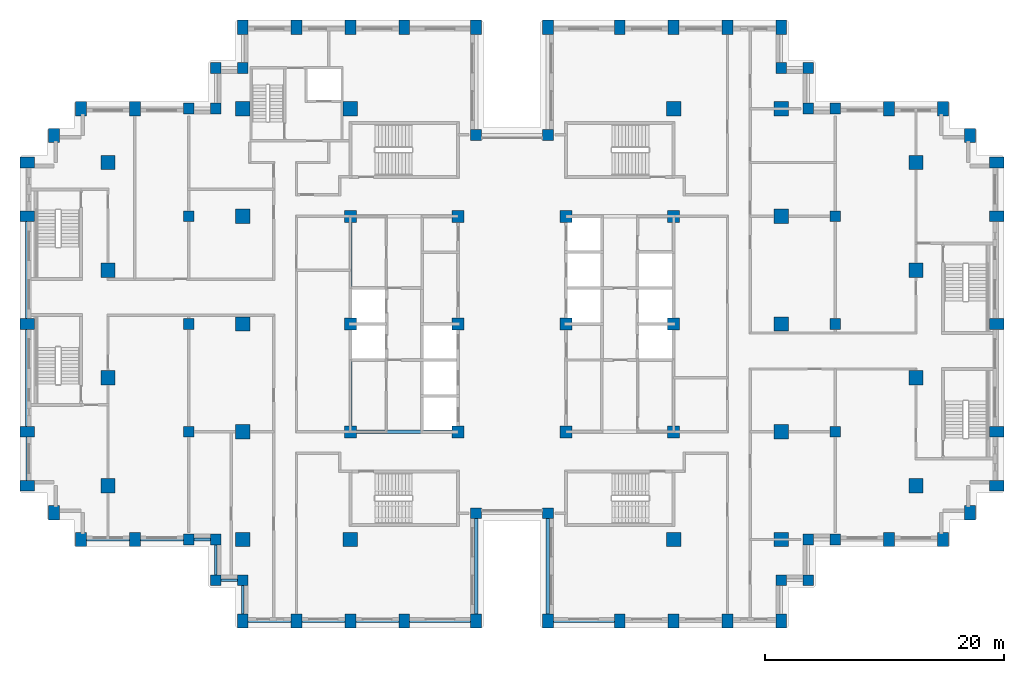
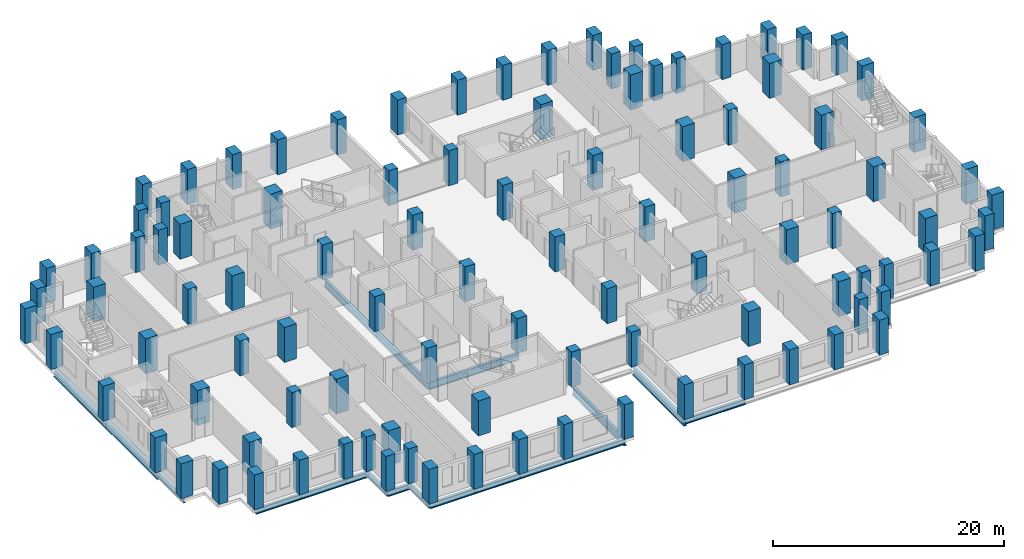
# One storey, part 1 of 15: 102 columns, 19 beams.
"""IFC4 building model written with IfcOpenShell, lengths in metres."""

from ifc_helpers import new_model, si_unit, direction, frame, origin, origin_2d, place, context, subcontext, project, spatial, rectangle, i_section, extrude, material, material_profile, profile_set, type_object, element, save


model = new_model("IFC4")

# Units and contexts
model_context = context("Model", 3, precision=1e-05, world=origin(), true_north=direction((0.0, 1.0)))
body_context = subcontext(model_context, "Body", "Model", "MODEL_VIEW")
ifc_project = project(units=[si_unit("LENGTHUNIT", "METRE"), si_unit("AREAUNIT", "SQUARE_METRE"), si_unit("VOLUMEUNIT", "CUBIC_METRE"), si_unit("PLANEANGLEUNIT", "RADIAN"), si_unit("MASSUNIT", "GRAM", prefix="KILO")], contexts=[model_context])

# Site, building, storey
site_placement = place(None, origin())
site = spatial("IfcSite", under=ifc_project, at=site_placement, CompositionType="ELEMENT")
building_placement = place(site_placement, origin())
building = spatial("IfcBuilding", under=site, at=building_placement, Name="Corbelhall Arena Tower", CompositionType="ELEMENT")
storey_placement = place(building_placement, frame((0.0, 0.0, 96.0)))
storey = spatial("IfcBuildingStorey", under=building, at=storey_placement, Name="L16", CompositionType="ELEMENT", Elevation=96.0)

# Columns
ifc_material_1 = material(Name="Concrete C80/95", Category="concrete")
ifc_material_profile_1 = material_profile(ifc_material_1, rectangle(XDim=1.0, YDim=1.0, at=origin_2d()))
ifc_profile_set_1 = profile_set([ifc_material_profile_1], Name="Concrete C80/95")
column_type_1 = type_object("IfcColumnType", Name="ST-COL-RC 1000x1000", PredefinedType="COLUMN", material=ifc_profile_set_1)
for number, where, z_axis, x_axis, name in (
    (1, (4.5, 0.0, 0.0), (0.0, 0.0, 1.0), (1.0, 0.0, 0.0), "Column KE+0450+0000"),
    (2, (4.5, 9.0, 0.0), (0.0, 0.0, 1.0), (1.0, 0.0, 0.0), "Column KE+0450+0900"),
    (3, (4.5, -9.0, 0.0), (0.0, 0.0, 1.0), (1.0, 0.0, 0.0), "Column KE+0450-0900"),
    (4, (13.5, 0.0, 0.0), (0.0, 0.0, 1.0), (1.0, 0.0, 0.0), "Column KE+1350+0000"),
    (5, (13.5, 9.0, 0.0), (0.0, 0.0, 1.0), (1.0, 0.0, 0.0), "Column KE+1350+0900"),
    (6, (13.5, -9.0, 0.0), (0.0, 0.0, 1.0), (1.0, 0.0, 0.0), "Column KE+1350-0900"),
    (7, (-4.5, 0.0, 0.0), (0.0, 0.0, 1.0), (1.0, 0.0, 0.0), "Column KW-0450+0000"),
    (8, (-4.5, 9.0, 0.0), (0.0, 0.0, 1.0), (1.0, 0.0, 0.0), "Column KW-0450+0900"),
    (9, (-4.5, -9.0, 0.0), (0.0, 0.0, 1.0), (1.0, 0.0, 0.0), "Column KW-0450-0900"),
    (10, (-13.5, 0.0, 0.0), (0.0, 0.0, 1.0), (1.0, 0.0, 0.0), "Column KW-1350+0000"),
    (11, (-13.5, 9.0, 0.0), (0.0, 0.0, 1.0), (1.0, 0.0, 0.0), "Column KW-1350+0900"),
    (12, (-13.5, -9.0, 0.0), (0.0, 0.0, 1.0), (1.0, 0.0, 0.0), "Column KW-1350-0900"),
):
    element("IfcColumn", number, at=place(storey_placement, frame(where, z_axis=z_axis, x_axis=x_axis)), inside=storey, type_object=column_type_1, Name=name, PredefinedType="COLUMN", context=body_context, shape_type="SweptSolid", body=[
        extrude(rectangle(XDim=1.0, YDim=1.0, at=origin_2d()), origin(), (0.0, 0.0, 1.0), 3.699951171875),
    ])
ifc_material_profile_2 = material_profile(ifc_material_1, rectangle(XDim=1.199951171875, YDim=1.199951171875, at=origin_2d()))
ifc_profile_set_2 = profile_set([ifc_material_profile_2], Name="Concrete C80/95")
column_type_2 = type_object("IfcColumnType", Name="ST-COL-RC 1200x1200", PredefinedType="COLUMN", material=ifc_profile_set_2)
for number, where, z_axis, x_axis, name in (
    (13, (-33.75, 4.5, 0.0), (0.0, 0.0, 1.0), (1.0, 0.0, 0.0), "Column FIC+0450"),
    (14, (-33.75, 13.5, 0.0), (0.0, 0.0, 1.0), (1.0, 0.0, 0.0), "Column FIC+1350"),
    (15, (-33.75, -4.5, 0.0), (0.0, 0.0, 1.0), (1.0, 0.0, 0.0), "Column FIC-0450"),
    (16, (-33.75, -13.5, 0.0), (0.0, 0.0, 1.0), (1.0, 0.0, 0.0), "Column FIC-1350"),
    (17, (33.75, 4.5, 0.0), (0.0, 0.0, 1.0), (1.0, 0.0, 0.0), "Column FID+0450"),
    (18, (33.75, 13.5, 0.0), (0.0, 0.0, 1.0), (1.0, 0.0, 0.0), "Column FID+1350"),
    (19, (33.75, -4.5, 0.0), (0.0, 0.0, 1.0), (1.0, 0.0, 0.0), "Column FID-0450"),
    (20, (33.75, -13.5, 0.0), (0.0, 0.0, 1.0), (1.0, 0.0, 0.0), "Column FID-1350"),
    (21, (13.5, 18.0, 0.0), (0.0, 0.0, 1.0), (1.0, 0.0, 0.0), "Column IE13+1800"),
    (22, (13.5, -18.0, 0.0), (0.0, 0.0, 1.0), (1.0, 0.0, 0.0), "Column IE13-1800"),
    (23, (22.5, 0.0, 0.0), (0.0, 0.0, 1.0), (1.0, 0.0, 0.0), "Column IE22+0000"),
    (24, (22.5, 9.0, 0.0), (0.0, 0.0, 1.0), (1.0, 0.0, 0.0), "Column IE22+0900"),
    (25, (22.5, 18.0, 0.0), (0.0, 0.0, 1.0), (1.0, 0.0, 0.0), "Column IE22+1800"),
    (26, (22.5, -9.0, 0.0), (0.0, 0.0, 1.0), (1.0, 0.0, 0.0), "Column IE22-0900"),
    (27, (22.5, -18.0, 0.0), (0.0, 0.0, 1.0), (1.0, 0.0, 0.0), "Column IE22-1800"),
    (28, (-13.5, 18.0, 0.0), (0.0, 0.0, 1.0), (1.0, 0.0, 0.0), "Column IW13+1800"),
    (29, (-13.5, -18.0, 0.0), (0.0, 0.0, 1.0), (1.0, 0.0, 0.0), "Column IW13-1800"),
    (30, (-22.5, 0.0, 0.0), (0.0, 0.0, 1.0), (1.0, 0.0, 0.0), "Column IW22+0000"),
    (31, (-22.5, 9.0, 0.0), (0.0, 0.0, 1.0), (1.0, 0.0, 0.0), "Column IW22+0900"),
    (32, (-22.5, 18.0, 0.0), (0.0, 0.0, 1.0), (1.0, 0.0, 0.0), "Column IW22+1800"),
    (33, (-22.5, -9.0, 0.0), (0.0, 0.0, 1.0), (1.0, 0.0, 0.0), "Column IW22-0900"),
    (34, (-22.5, -18.0, 0.0), (0.0, 0.0, 1.0), (1.0, 0.0, 0.0), "Column IW22-1800"),
):
    element("IfcColumn", number, at=place(storey_placement, frame(where, z_axis=z_axis, x_axis=x_axis)), inside=storey, type_object=column_type_2, Name=name, PredefinedType="COLUMN", context=body_context, shape_type="SweptSolid", body=[
        extrude(rectangle(XDim=1.199951171875, YDim=1.199951171875, at=origin_2d()), origin(), (0.0, 0.0, 1.0), 3.699951171875),
    ])
ifc_material_profile_3 = material_profile(ifc_material_1, rectangle(XDim=0.89990234375, YDim=1.199951171875, at=origin_2d()))
ifc_profile_set_3 = profile_set([ifc_material_profile_3], Name="Concrete C80/95")
column_type_3 = type_object("IfcColumnType", Name="ST-COL-RC 900x1200", PredefinedType="COLUMN", material=ifc_profile_set_3)
for number, where, z_axis, x_axis, name in (
    (35, (-40.5, 0.0, 0.0), (0.0, 0.0, 1.0), (0.0, 1.0, 0.0), "Column FC+0000"),
    (36, (-40.5, 9.0, 0.0), (0.0, 0.0, 1.0), (0.0, 1.0, 0.0), "Column FC+0900"),
    (37, (-40.5, 13.5, 0.0), (0.0, 0.0, 1.0), (0.0, 1.0, 0.0), "Column FC+1350"),
    (38, (-40.5, -9.0, 0.0), (0.0, 0.0, 1.0), (0.0, 1.0, 0.0), "Column FC-0900"),
    (39, (-40.5, -13.5, 0.0), (0.0, 0.0, 1.0), (0.0, 1.0, 0.0), "Column FC-1350"),
    (40, (-38.25, 15.75, 0.0), (0.0, 0.0, 1.0), (1.0, 0.0, 0.0), "Column FCCN"),
    (41, (-38.25, -15.75, 0.0), (0.0, 0.0, 1.0), (1.0, 0.0, 0.0), "Column FCCS"),
    (42, (-31.5, 18.0, 0.0), (0.0, 0.0, 1.0), (1.0, 0.0, 0.0), "Column FCN3150"),
    (43, (-36.0, 18.0, 0.0), (0.0, 0.0, 1.0), (1.0, 0.0, 0.0), "Column FCN3600"),
    (44, (-31.5, -18.0, 0.0), (0.0, 0.0, 1.0), (1.0, 0.0, 0.0), "Column FCS3150"),
    (45, (-36.0, -18.0, 0.0), (0.0, 0.0, 1.0), (1.0, 0.0, 0.0), "Column FCS3600"),
    (46, (40.5, 0.0, 0.0), (0.0, 0.0, 1.0), (0.0, 1.0, 0.0), "Column FD+0000"),
    (47, (40.5, 9.0, 0.0), (0.0, 0.0, 1.0), (0.0, 1.0, 0.0), "Column FD+0900"),
    (48, (40.5, 13.5, 0.0), (0.0, 0.0, 1.0), (0.0, 1.0, 0.0), "Column FD+1350"),
    (49, (40.5, -9.0, 0.0), (0.0, 0.0, 1.0), (0.0, 1.0, 0.0), "Column FD-0900"),
    (50, (40.5, -13.5, 0.0), (0.0, 0.0, 1.0), (0.0, 1.0, 0.0), "Column FD-1350"),
    (51, (38.25, 15.75, 0.0), (0.0, 0.0, 1.0), (1.0, 0.0, 0.0), "Column FDCN"),
    (52, (38.25, -15.75, 0.0), (0.0, 0.0, 1.0), (1.0, 0.0, 0.0), "Column FDCS"),
    (53, (31.5, 18.0, 0.0), (0.0, 0.0, 1.0), (1.0, 0.0, 0.0), "Column FDN3150"),
    (54, (36.0, 18.0, 0.0), (0.0, 0.0, 1.0), (1.0, 0.0, 0.0), "Column FDN3600"),
    (55, (31.5, -18.0, 0.0), (0.0, 0.0, 1.0), (1.0, 0.0, 0.0), "Column FDS3150"),
    (56, (36.0, -18.0, 0.0), (0.0, 0.0, 1.0), (1.0, 0.0, 0.0), "Column FDS3600"),
    (57, (3.0, 24.800048828125, 0.0), (0.0, 0.0, 1.0), (1.0, 0.0, 0.0), "Column PNE0300"),
    (58, (9.0, 24.800048828125, 0.0), (0.0, 0.0, 1.0), (1.0, 0.0, 0.0), "Column PNE0900"),
    (59, (13.5, 24.800048828125, 0.0), (0.0, 0.0, 1.0), (1.0, 0.0, 0.0), "Column PNE1350"),
    (60, (18.0, 24.800048828125, 0.0), (0.0, 0.0, 1.0), (1.0, 0.0, 0.0), "Column PNE1800"),
    (61, (22.5, 24.800048828125, 0.0), (0.0, 0.0, 1.0), (1.0, 0.0, 0.0), "Column PNE2250"),
    (62, (-3.0, 24.800048828125, 0.0), (0.0, 0.0, 1.0), (1.0, 0.0, 0.0), "Column PNW0300"),
    (63, (-9.0, 24.800048828125, 0.0), (0.0, 0.0, 1.0), (1.0, 0.0, 0.0), "Column PNW0900"),
    (64, (-13.5, 24.800048828125, 0.0), (0.0, 0.0, 1.0), (1.0, 0.0, 0.0), "Column PNW1350"),
    (65, (-18.0, 24.800048828125, 0.0), (0.0, 0.0, 1.0), (1.0, 0.0, 0.0), "Column PNW1800"),
    (66, (-22.5, 24.800048828125, 0.0), (0.0, 0.0, 1.0), (1.0, 0.0, 0.0), "Column PNW2250"),
    (67, (3.0, -24.800048828125, 0.0), (0.0, 0.0, 1.0), (1.0, 0.0, 0.0), "Column PSE0300"),
    (68, (9.0, -24.800048828125, 0.0), (0.0, 0.0, 1.0), (1.0, 0.0, 0.0), "Column PSE0900"),
    (69, (13.5, -24.800048828125, 0.0), (0.0, 0.0, 1.0), (1.0, 0.0, 0.0), "Column PSE1350"),
    (70, (18.0, -24.800048828125, 0.0), (0.0, 0.0, 1.0), (1.0, 0.0, 0.0), "Column PSE1800"),
    (71, (22.5, -24.800048828125, 0.0), (0.0, 0.0, 1.0), (1.0, 0.0, 0.0), "Column PSE2250"),
    (72, (-3.0, -24.800048828125, 0.0), (0.0, 0.0, 1.0), (1.0, 0.0, 0.0), "Column PSW0300"),
    (73, (-9.0, -24.800048828125, 0.0), (0.0, 0.0, 1.0), (1.0, 0.0, 0.0), "Column PSW0900"),
    (74, (-13.5, -24.800048828125, 0.0), (0.0, 0.0, 1.0), (1.0, 0.0, 0.0), "Column PSW1350"),
    (75, (-18.0, -24.800048828125, 0.0), (0.0, 0.0, 1.0), (1.0, 0.0, 0.0), "Column PSW1800"),
    (76, (-22.5, -24.800048828125, 0.0), (0.0, 0.0, 1.0), (1.0, 0.0, 0.0), "Column PSW2250"),
):
    element("IfcColumn", number, at=place(storey_placement, frame(where, z_axis=z_axis, x_axis=x_axis)), inside=storey, type_object=column_type_3, Name=name, PredefinedType="COLUMN", context=body_context, shape_type="SweptSolid", body=[
        extrude(rectangle(XDim=0.89990234375, YDim=1.199951171875, at=origin_2d()), origin(), (0.0, 0.0, 1.0), 3.699951171875),
    ])
ifc_material_profile_4 = material_profile(ifc_material_1, rectangle(XDim=0.89990234375, YDim=0.89990234375, at=origin_2d()))
ifc_profile_set_4 = profile_set([ifc_material_profile_4], Name="Concrete C80/95")
column_type_4 = type_object("IfcColumnType", Name="ST-COL-RC 900x900", PredefinedType="COLUMN", material=ifc_profile_set_4)
for number, where, z_axis, x_axis, name in (
    (77, (27.0, 0.0, 0.0), (0.0, 0.0, 1.0), (1.0, 0.0, 0.0), "Column PE+0000"),
    (78, (27.0, 9.0, 0.0), (0.0, 0.0, 1.0), (1.0, 0.0, 0.0), "Column PE+0900"),
    (79, (27.0, 18.0, 0.0), (0.0, 0.0, 1.0), (1.0, 0.0, 0.0), "Column PE+1800"),
    (80, (27.0, -9.0, 0.0), (0.0, 0.0, 1.0), (1.0, 0.0, 0.0), "Column PE-0900"),
    (81, (27.0, -18.0, 0.0), (0.0, 0.0, 1.0), (1.0, 0.0, 0.0), "Column PE-1800"),
    (82, (-27.0, 0.0, 0.0), (0.0, 0.0, 1.0), (1.0, 0.0, 0.0), "Column PW+0000"),
    (83, (-27.0, 9.0, 0.0), (0.0, 0.0, 1.0), (1.0, 0.0, 0.0), "Column PW+0900"),
    (84, (-27.0, 18.0, 0.0), (0.0, 0.0, 1.0), (1.0, 0.0, 0.0), "Column PW+1800"),
    (85, (-27.0, -9.0, 0.0), (0.0, 0.0, 1.0), (1.0, 0.0, 0.0), "Column PW-0900"),
    (86, (-27.0, -18.0, 0.0), (0.0, 0.0, 1.0), (1.0, 0.0, 0.0), "Column PW-1800"),
    (87, (3.0, 15.800048828125, 0.0), (0.0, 0.0, 1.0), (1.0, 0.0, 0.0), "Column SLNE2"),
    (88, (-3.0, 15.800048828125, 0.0), (0.0, 0.0, 1.0), (1.0, 0.0, 0.0), "Column SLNW2"),
    (89, (3.0, -15.800048828125, 0.0), (0.0, 0.0, 1.0), (1.0, 0.0, 0.0), "Column SLSE2"),
    (90, (-3.0, -15.800048828125, 0.0), (0.0, 0.0, 1.0), (1.0, 0.0, 0.0), "Column SLSW2"),
    (91, (22.5, 21.39990234375, 0.0), (0.0, 0.0, 1.0), (1.0, 0.0, 0.0), "Column XNE1"),
    (92, (24.75, 21.39990234375, 0.0), (0.0, 0.0, 1.0), (1.0, 0.0, 0.0), "Column XNE2"),
    (93, (24.75, 18.0, 0.0), (0.0, 0.0, 1.0), (1.0, 0.0, 0.0), "Column XNE3"),
    (94, (-22.5, 21.39990234375, 0.0), (0.0, 0.0, 1.0), (1.0, 0.0, 0.0), "Column XNW1"),
    (95, (-24.75, 21.39990234375, 0.0), (0.0, 0.0, 1.0), (1.0, 0.0, 0.0), "Column XNW2"),
    (96, (-24.75, 18.0, 0.0), (0.0, 0.0, 1.0), (1.0, 0.0, 0.0), "Column XNW3"),
    (97, (22.5, -21.39990234375, 0.0), (0.0, 0.0, 1.0), (1.0, 0.0, 0.0), "Column XSE1"),
    (98, (24.75, -21.39990234375, 0.0), (0.0, 0.0, 1.0), (1.0, 0.0, 0.0), "Column XSE2"),
    (99, (24.75, -18.0, 0.0), (0.0, 0.0, 1.0), (1.0, 0.0, 0.0), "Column XSE3"),
    (100, (-22.5, -21.39990234375, 0.0), (0.0, 0.0, 1.0), (1.0, 0.0, 0.0), "Column XSW1"),
    (101, (-24.75, -21.39990234375, 0.0), (0.0, 0.0, 1.0), (1.0, 0.0, 0.0), "Column XSW2"),
    (102, (-24.75, -18.0, 0.0), (0.0, 0.0, 1.0), (1.0, 0.0, 0.0), "Column XSW3"),
):
    element("IfcColumn", number, at=place(storey_placement, frame(where, z_axis=z_axis, x_axis=x_axis)), inside=storey, type_object=column_type_4, Name=name, PredefinedType="COLUMN", context=body_context, shape_type="SweptSolid", body=[
        extrude(rectangle(XDim=0.89990234375, YDim=0.89990234375, at=origin_2d()), origin(), (0.0, 0.0, 1.0), 3.699951171875),
    ])

# Beams
ifc_material_2 = material(Name="Steel ASTM A992 Gr50", Category="steel")
ifc_material_profile_5 = material_profile(ifc_material_2, i_section(OverallWidth=0.2666015625, OverallDepth=0.761962890625, WebThickness=0.014404296875, FlangeThickness=0.021484375, at=origin_2d()))
ifc_profile_set_5 = profile_set([ifc_material_profile_5], Name="Steel ASTM A992 Gr50")
beam_type_1 = type_object("IfcBeamType", Name="ST-BEAM-W30x116", PredefinedType="BEAM", material=ifc_profile_set_5)
for number, where, z_axis, x_axis, name in (
    (103, (-13.5, -9.0, -0.680908203125), (0.0, 1.0, 0.0), (-1.0, 0.0, 0.0), "Beam CEW 1"),
    (104, (-13.5, 0.0, -0.680908203125), (0.0, 1.0, 0.0), (-1.0, 0.0, 0.0), "Beam CEW 2"),
    (105, (-13.5, -9.0, -0.680908203125), (1.0, 0.0, 0.0), (0.0, 1.0, 0.0), "Beam CEW 5"),
):
    element("IfcBeam", number, at=place(storey_placement, frame(where, z_axis=z_axis, x_axis=x_axis)), inside=storey, type_object=beam_type_1, Name=name, PredefinedType="BEAM", context=body_context, shape_type="SweptSolid", body=[
        extrude(i_section(OverallWidth=0.2666015625, OverallDepth=0.761962890625, WebThickness=0.014404296875, FlangeThickness=0.021484375, at=origin_2d()), origin(), (0.0, 0.0, 1.0), 9.0),
    ])
ifc_material_profile_6 = material_profile(ifc_material_2, i_section(OverallWidth=0.23046875, OverallDepth=0.6171875, WebThickness=0.01318359375, FlangeThickness=0.022216796875, at=origin_2d()))
ifc_profile_set_6 = profile_set([ifc_material_profile_6], Name="Steel ASTM A992 Gr50")
beam_type_2 = type_object("IfcBeamType", Name="ST-SPANDREL-W24x94", PredefinedType="SPANDREL", material=ifc_profile_set_6)
for number, where, z_axis, x_axis, name in (
    (106, (-40.5, -13.5, -0.608642578125), (0.0, 1.0, 0.0), (-1.0, 0.0, 0.0), "Beam SP 4"),
    (107, (-31.5, -18.0, -0.608642578125), (-1.0, 0.0, 0.0), (0.0, -1.0, 0.0), "Beam SP 7"),
):
    element("IfcBeam", number, at=place(storey_placement, frame(where, z_axis=z_axis, x_axis=x_axis)), inside=storey, type_object=beam_type_2, Name=name, PredefinedType="SPANDREL", context=body_context, shape_type="SweptSolid", body=[
        extrude(i_section(OverallWidth=0.23046875, OverallDepth=0.6171875, WebThickness=0.01318359375, FlangeThickness=0.022216796875, at=origin_2d()), origin(), (0.0, 0.0, 1.0), 4.5),
    ])
for number, where, z_axis, x_axis, name in (
    (108, (9.0, -24.800048828125, -0.608642578125), (-1.0, 0.0, 0.0), (0.0, -1.0, 0.0), "Beam SP 28"),
    (109, (-3.0, -24.800048828125, -0.608642578125), (-1.0, 0.0, 0.0), (0.0, -1.0, 0.0), "Beam SP 32"),
):
    element("IfcBeam", number, at=place(storey_placement, frame(where, z_axis=z_axis, x_axis=x_axis)), inside=storey, type_object=beam_type_2, Name=name, PredefinedType="SPANDREL", context=body_context, shape_type="SweptSolid", body=[
        extrude(i_section(OverallWidth=0.23046875, OverallDepth=0.6171875, WebThickness=0.01318359375, FlangeThickness=0.022216796875, at=origin_2d()), origin(), (0.0, 0.0, 1.0), 6.0),
    ])
for number, where, z_axis, x_axis, name in (
    (110, (-9.0, -24.800048828125, -0.608642578125), (-1.0, 0.0, 0.0), (0.0, -1.0, 0.0), "Beam SP 33"),
    (111, (-13.5, -24.800048828125, -0.608642578125), (-1.0, 0.0, 0.0), (0.0, -1.0, 0.0), "Beam SP 34"),
    (112, (-18.0, -24.800048828125, -0.608642578125), (-1.0, 0.0, 0.0), (0.0, -1.0, 0.0), "Beam SP 35"),
):
    element("IfcBeam", number, at=place(storey_placement, frame(where, z_axis=z_axis, x_axis=x_axis)), inside=storey, type_object=beam_type_2, Name=name, PredefinedType="SPANDREL", context=body_context, shape_type="SweptSolid", body=[
        extrude(i_section(OverallWidth=0.23046875, OverallDepth=0.6171875, WebThickness=0.01318359375, FlangeThickness=0.022216796875, at=origin_2d()), origin(), (0.0, 0.0, 1.0), 4.5),
    ])
beam_1_placement = place(storey_placement, frame((-22.5, -24.800048828125, -0.608642578125), z_axis=(0.0, 1.0, 0.0), x_axis=(-1.0, 0.0, 0.0)))
element("IfcBeam", 113, at=beam_1_placement, inside=storey, type_object=beam_type_2, Name="Beam SP 36", PredefinedType="SPANDREL", context=body_context, shape_type="SweptSolid", body=[
    extrude(i_section(OverallWidth=0.23046875, OverallDepth=0.6171875, WebThickness=0.01318359375, FlangeThickness=0.022216796875, at=origin_2d()), origin(), (0.0, 0.0, 1.0), 3.400146484375),
])
beam_2_placement = place(storey_placement, frame((-27.0, -18.0, -0.608642578125), z_axis=(-1.0, 0.0, 0.0), x_axis=(0.0, -1.0, 0.0)))
element("IfcBeam", 114, at=beam_2_placement, inside=storey, type_object=beam_type_2, Name="Beam SP 38", PredefinedType="SPANDREL", context=body_context, shape_type="SweptSolid", body=[
    extrude(i_section(OverallWidth=0.23046875, OverallDepth=0.6171875, WebThickness=0.01318359375, FlangeThickness=0.022216796875, at=origin_2d()), origin(), (0.0, 0.0, 1.0), 4.5),
])
beam_3_placement = place(storey_placement, frame((-22.5, -21.39990234375, -0.608642578125), z_axis=(-1.0, 0.0, 0.0), x_axis=(0.0, -1.0, 0.0)))
element("IfcBeam", 115, at=beam_3_placement, inside=storey, type_object=beam_type_2, Name="Beam SP 52", PredefinedType="SPANDREL", context=body_context, shape_type="SweptSolid", body=[
    extrude(i_section(OverallWidth=0.23046875, OverallDepth=0.6171875, WebThickness=0.01318359375, FlangeThickness=0.022216796875, at=origin_2d()), origin(), (0.0, 0.0, 1.0), 2.25),
])
beam_4_placement = place(storey_placement, frame((-24.75, -21.39990234375, -0.608642578125), z_axis=(0.0, 1.0, 0.0), x_axis=(-1.0, 0.0, 0.0)))
element("IfcBeam", 116, at=beam_4_placement, inside=storey, type_object=beam_type_2, Name="Beam SP 53", PredefinedType="SPANDREL", context=body_context, shape_type="SweptSolid", body=[
    extrude(i_section(OverallWidth=0.23046875, OverallDepth=0.6171875, WebThickness=0.01318359375, FlangeThickness=0.022216796875, at=origin_2d()), origin(), (0.0, 0.0, 1.0), 3.39990234375),
])
beam_5_placement = place(storey_placement, frame((-24.75, -18.0, -0.608642578125), z_axis=(-1.0, 0.0, 0.0), x_axis=(0.0, -1.0, 0.0)))
element("IfcBeam", 117, at=beam_5_placement, inside=storey, type_object=beam_type_2, Name="Beam SP 54", PredefinedType="SPANDREL", context=body_context, shape_type="SweptSolid", body=[
    extrude(i_section(OverallWidth=0.23046875, OverallDepth=0.6171875, WebThickness=0.01318359375, FlangeThickness=0.022216796875, at=origin_2d()), origin(), (0.0, 0.0, 1.0), 2.25),
])
ifc_material_profile_7 = material_profile(ifc_material_2, i_section(OverallWidth=0.2919921875, OverallDepth=0.845703125, WebThickness=0.015380859375, FlangeThickness=0.0244140625, at=origin_2d()))
ifc_profile_set_7 = profile_set([ifc_material_profile_7], Name="Steel ASTM A992 Gr50")
beam_type_3 = type_object("IfcBeamType", Name="ST-SPANDREL-W33x141", PredefinedType="SPANDREL", material=ifc_profile_set_7)
for number, where, z_axis, x_axis, name in (
    (118, (-40.5, 0.0, -0.722900390625), (0.0, 1.0, 0.0), (-1.0, 0.0, 0.0), "Beam SP 1"),
    (119, (-40.5, -9.0, -0.722900390625), (0.0, 1.0, 0.0), (-1.0, 0.0, 0.0), "Beam SP 3"),
    (120, (3.0, -24.800048828125, -0.722900390625), (0.0, 1.0, 0.0), (-1.0, 0.0, 0.0), "Beam SP 27"),
    (121, (-3.0, -15.800048828125, -0.722900390625), (0.0, -1.0, 0.0), (1.0, 0.0, 0.0), "Beam SP 42"),
):
    element("IfcBeam", number, at=place(storey_placement, frame(where, z_axis=z_axis, x_axis=x_axis)), inside=storey, type_object=beam_type_3, Name=name, PredefinedType="SPANDREL", context=body_context, shape_type="SweptSolid", body=[
        extrude(i_section(OverallWidth=0.2919921875, OverallDepth=0.845703125, WebThickness=0.015380859375, FlangeThickness=0.0244140625, at=origin_2d()), origin(), (0.0, 0.0, 1.0), 9.0),
    ])

save(model, "model.ifc")
